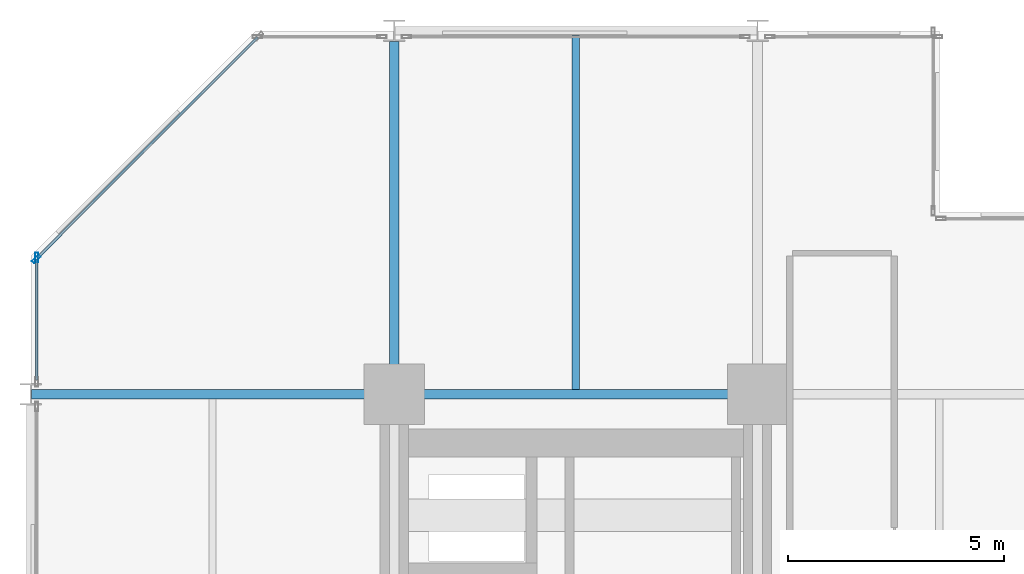
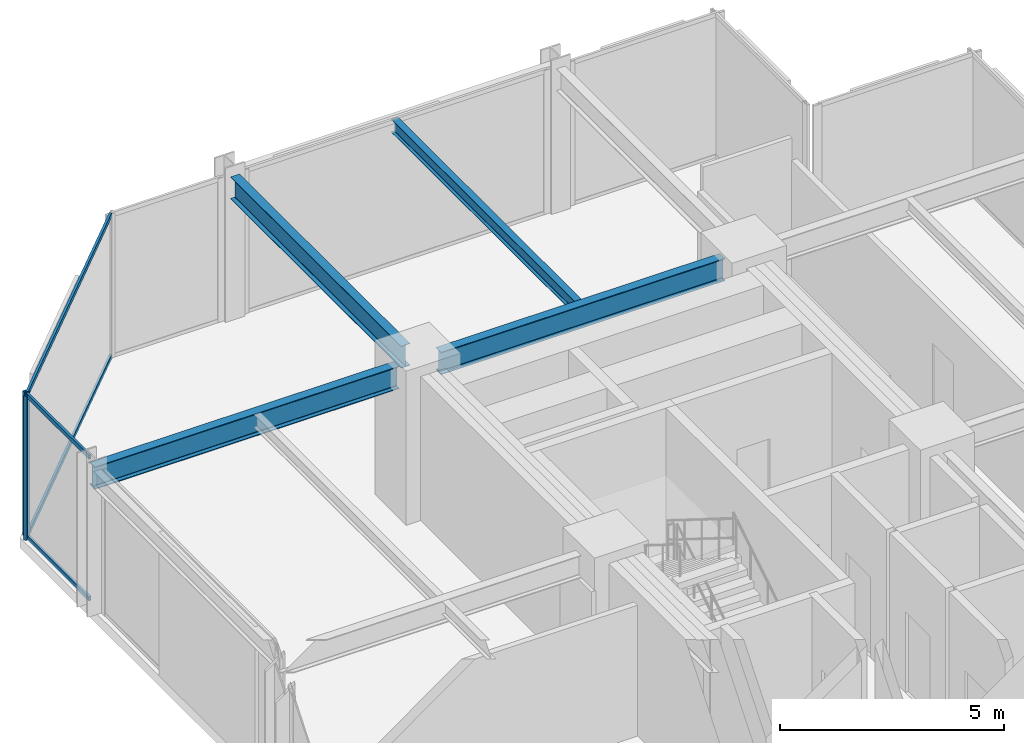
# One storey, part 15 of 24: 6 members, 4 beams, 2 elements without a shape of their own.
"""IFC4 building model written with IfcOpenShell, lengths in metres."""

from ifc_helpers import new_model, si_unit, direction, frame, origin, origin_2d, place, context, subcontext, project, spatial, hollow_rectangle, i_section, extrude, material, layer, layer_set, material_profile, profile_set, type_object, element, aggregate, save


model = new_model("IFC4")

# Units and contexts
model_context = context("Model", 3, precision=1e-05, world=origin(), true_north=direction((0.0, 1.0)))
body_context = subcontext(model_context, "Body", "Model", "MODEL_VIEW")
ifc_project = project(units=[si_unit("LENGTHUNIT", "METRE"), si_unit("AREAUNIT", "SQUARE_METRE"), si_unit("VOLUMEUNIT", "CUBIC_METRE"), si_unit("PLANEANGLEUNIT", "RADIAN"), si_unit("MASSUNIT", "GRAM", prefix="KILO")], contexts=[model_context])

# Site, building, storey
site_placement = place(None, origin())
site = spatial("IfcSite", under=ifc_project, at=site_placement, CompositionType="ELEMENT")
building_placement = place(site_placement, origin())
building = spatial("IfcBuilding", under=site, at=building_placement, Name="Nerrivon Quay Data Exchange", CompositionType="ELEMENT")
storey_placement = place(building_placement, frame((0.0, 0.0, 33.199951171875)))
storey = spatial("IfcBuildingStorey", under=building, at=storey_placement, Name="L07", CompositionType="ELEMENT", Elevation=33.199951171875)

# Beams
ifc_material_1 = material(Name="Steel Grade 350", Category="steel")
ifc_material_profile_1 = material_profile(ifc_material_1, i_section(OverallWidth=0.22900390625, OverallDepth=0.612060546875, WebThickness=0.011962890625, FlangeThickness=0.01953125, FilletRadius=0.013916015625, at=origin_2d()), Name="610UB125")
ifc_profile_set_1 = profile_set([ifc_material_profile_1], Name="Steel Grade 350")
beam_type_1 = type_object("IfcBeamType", Name="BM-G1-610UB125", PredefinedType="BEAM", material=ifc_profile_set_1)
beam_1_placement = place(storey_placement, frame((0.013916015625, 42.0, 3.619140625), z_axis=(1.0, 0.0, 0.0), x_axis=(0.0, 1.0, 0.0)))
element("IfcBeam", 1, at=beam_1_placement, inside=storey, type_object=beam_type_1, Name="L07 EW Girder Y=42.0 (0.0..8.4)", PredefinedType="BEAM", context=body_context, shape_type="SweptSolid", body=[
    extrude(i_section(OverallWidth=0.22900390625, OverallDepth=0.612060546875, WebThickness=0.011962890625, FlangeThickness=0.01953125, FilletRadius=0.013916015625, at=origin_2d()), origin(), (0.0, 0.0, 1.0), 7.84619140625),
])
beam_2_placement = place(storey_placement, frame((8.93994140625, 42.0, 3.619140625), z_axis=(1.0, 0.0, 0.0), x_axis=(0.0, 1.0, 0.0)))
element("IfcBeam", 2, at=beam_2_placement, inside=storey, type_object=beam_type_1, Name="L07 EW Girder Y=42.0 (8.4..16.8)", PredefinedType="BEAM", context=body_context, shape_type="SweptSolid", body=[
    extrude(i_section(OverallWidth=0.22900390625, OverallDepth=0.612060546875, WebThickness=0.011962890625, FlangeThickness=0.01953125, FilletRadius=0.013916015625, at=origin_2d()), origin(), (0.0, 0.0, 1.0), 7.320068359375),
])
ifc_material_profile_2 = material_profile(ifc_material_1, i_section(OverallWidth=0.22802734375, OverallDepth=0.60205078125, WebThickness=0.010498046875, FlangeThickness=0.014892578125, FilletRadius=0.013916015625, at=origin_2d()), Name="610UB101")
ifc_profile_set_2 = profile_set([ifc_material_profile_2], Name="Steel Grade 350")
beam_type_2 = type_object("IfcBeamType", Name="BM-G2-610UB101", PredefinedType="BEAM", material=ifc_profile_set_2)
beam_3_placement = place(storey_placement, frame((8.39990234375, 42.5400390625, 3.6240234375), z_axis=(0.0, 1.0, 0.0), x_axis=(-1.0, 0.0, 0.0)))
element("IfcBeam", 3, at=beam_3_placement, inside=storey, type_object=beam_type_2, Name="L07 NS Girder X=8.4 (42.0..50.4)", PredefinedType="BEAM", context=body_context, shape_type="SweptSolid", body=[
    extrude(i_section(OverallWidth=0.22802734375, OverallDepth=0.60205078125, WebThickness=0.010498046875, FlangeThickness=0.014892578125, FilletRadius=0.013916015625, at=origin_2d()), origin(), (0.0, 0.0, 1.0), 7.60986328125),
])
ifc_material_profile_3 = material_profile(ifc_material_1, i_section(OverallWidth=0.172119140625, OverallDepth=0.35888671875, WebThickness=0.008056640625, FlangeThickness=0.012939453125, FilletRadius=0.011474609375, at=origin_2d()), Name="360UB56.7")
ifc_profile_set_3 = profile_set([ifc_material_profile_3], Name="Steel Grade 350")
beam_type_3 = type_object("IfcBeamType", Name="BM-J3-360UB57", PredefinedType="JOIST", material=ifc_profile_set_3)
beam_4_placement = place(storey_placement, frame((12.60009765625, 42.114501953125, 3.74560546875), z_axis=(0.0, 1.0, 0.0), x_axis=(-1.0, 0.0, 0.0)))
element("IfcBeam", 4, at=beam_4_placement, inside=storey, type_object=beam_type_3, Name="L07 Secondary Joist X=12.6 (42.0..50.4)", PredefinedType="JOIST", context=body_context, shape_type="SweptSolid", body=[
    extrude(i_section(OverallWidth=0.172119140625, OverallDepth=0.35888671875, WebThickness=0.008056640625, FlangeThickness=0.012939453125, FilletRadius=0.011474609375, at=origin_2d()), origin(), (0.0, 0.0, 1.0), 8.1904296875),
])

# Curtain wall, member
ifc_material_2 = material(Name="Anodised aluminium 6063-T6", Category="aluminium")
ifc_layer = layer(ifc_material_2, 0.219970703125)
ifc_layer_set = layer_set([ifc_layer], Name="Anodised aluminium 6063-T6")
curtain_wall_type = type_object("IfcCurtainWallType", Name="CW-SYS-01", PredefinedType="NOTDEFINED", material=ifc_layer_set)
curtain_wall_1_placement = place(storey_placement, origin())
curtain_wall_1 = element("IfcCurtainWall", 5, at=curtain_wall_1_placement, inside=storey, type_object=curtain_wall_type, Name="L07 Unitised Curtain Wall 18", PredefinedType="NOTDEFINED")
ifc_material_profile_4 = material_profile(ifc_material_2, hollow_rectangle(XDim=0.074951171875, YDim=0.219970703125, WallThickness=0.00390625, at=origin_2d()), Name="ALU-MULL-220x75")
ifc_profile_set_4 = profile_set([ifc_material_profile_4], Name="Anodised aluminium 6063-T6")
member_type_1 = type_object("IfcMemberType", Name="CWM-220x75", PredefinedType="MULLION", material=ifc_profile_set_4)
member_1_placement = place(storey_placement, frame((0.139892578125, 45.16259765625, 0.0), z_axis=(0.0, 0.0, 1.0), x_axis=(-1.0, 0.0, 0.0)))
member_1 = element("IfcMember", 6, at=member_1_placement, type_object=member_type_1, Name="CW01 mullion 2", PredefinedType="MULLION", context=body_context, shape_type="SweptSolid", body=[
    extrude(hollow_rectangle(XDim=0.074951171875, YDim=0.219970703125, WallThickness=0.00390625, at=origin_2d()), origin(), (0.0, 0.0, 1.0), 3.925048828125),
])

curtain_wall_2_placement = place(storey_placement, origin())
curtain_wall_2 = element("IfcCurtainWall", 7, at=curtain_wall_2_placement, inside=storey, type_object=curtain_wall_type, Name="L07 Unitised Curtain Wall 19", PredefinedType="NOTDEFINED")
member_2_placement = place(storey_placement, frame((0.12548828125, 45.12744140625, 0.0), z_axis=(0.0, 0.0, 1.0), x_axis=(-0.707106781187, 0.707106781187, 0.0)))
member_2 = element("IfcMember", 8, at=member_2_placement, type_object=member_type_1, Name="CW01 mullion 1", PredefinedType="MULLION", context=body_context, shape_type="SweptSolid", body=[
    extrude(hollow_rectangle(XDim=0.074951171875, YDim=0.219970703125, WallThickness=0.00390625, at=origin_2d()), origin(), (0.0, 0.0, 1.0), 3.925048828125),
])

# Member
ifc_material_profile_5 = material_profile(ifc_material_2, hollow_rectangle(XDim=0.06005859375, YDim=0.1201171875, WallThickness=0.003173828125, at=origin_2d()), Name="ALU-TRAN-120x60")
ifc_profile_set_5 = profile_set([ifc_material_profile_5], Name="Anodised aluminium 6063-T6")
member_type_2 = type_object("IfcMemberType", Name="CWT-120x60", PredefinedType="USERDEFINED", material=ifc_profile_set_5)
member_3_placement = place(storey_placement, frame((0.139892578125, 42.324951171875, 0.032470703125), z_axis=(0.0, 1.0, 0.0), x_axis=(-1.0, 0.0, 0.0)))
member_3 = element("IfcMember", 9, at=member_3_placement, type_object=member_type_2, Name="CW01 transom 1.1", ObjectType="TRANSOM", PredefinedType="USERDEFINED", context=body_context, shape_type="SweptSolid", body=[
    extrude(hollow_rectangle(XDim=0.06005859375, YDim=0.1201171875, WallThickness=0.003173828125, at=origin_2d()), origin(), (0.0, 0.0, 1.0), 2.800048828125),
])

member_4_placement = place(storey_placement, frame((0.139892578125, 42.324951171875, 3.892578125), z_axis=(0.0, 1.0, 0.0), x_axis=(-1.0, 0.0, 0.0)))
member_4 = element("IfcMember", 10, at=member_4_placement, type_object=member_type_2, Name="CW01 transom 1.2", ObjectType="TRANSOM", PredefinedType="USERDEFINED", context=body_context, shape_type="SweptSolid", body=[
    extrude(hollow_rectangle(XDim=0.06005859375, YDim=0.1201171875, WallThickness=0.003173828125, at=origin_2d()), origin(), (0.0, 0.0, 1.0), 2.800048828125),
])

aggregate(curtain_wall_1, [member_1, member_3, member_4])

member_5_placement = place(storey_placement, frame((0.152099609375, 45.154052734375, 0.032470703125), z_axis=(0.707089835771, 0.707123726196, 0.0), x_axis=(-0.707123726196, 0.707089835771, 0.0)))
member_5 = element("IfcMember", 11, at=member_5_placement, type_object=member_type_2, Name="CW01 transom 1.1", ObjectType="TRANSOM", PredefinedType="USERDEFINED", context=body_context, shape_type="SweptSolid", body=[
    extrude(hollow_rectangle(XDim=0.06005859375, YDim=0.1201171875, WallThickness=0.003173828125, at=origin_2d()), origin(), (0.0, 0.0, 1.0), 7.203857421875),
])

member_6_placement = place(storey_placement, frame((0.152099609375, 45.154052734375, 3.892578125), z_axis=(0.707089835771, 0.707123726196, 0.0), x_axis=(-0.707123726196, 0.707089835771, 0.0)))
member_6 = element("IfcMember", 12, at=member_6_placement, type_object=member_type_2, Name="CW01 transom 1.2", ObjectType="TRANSOM", PredefinedType="USERDEFINED", context=body_context, shape_type="SweptSolid", body=[
    extrude(hollow_rectangle(XDim=0.06005859375, YDim=0.1201171875, WallThickness=0.003173828125, at=origin_2d()), origin(), (0.0, 0.0, 1.0), 7.203857421875),
])

aggregate(curtain_wall_2, [member_2, member_5, member_6])

save(model, "model.ifc")
